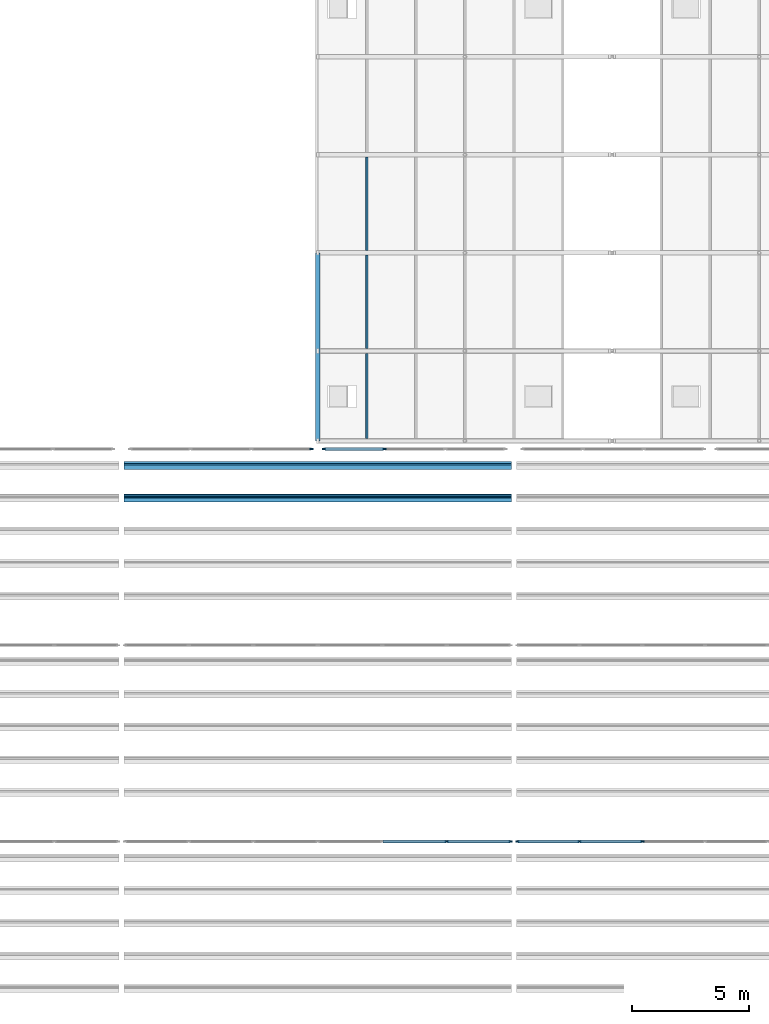
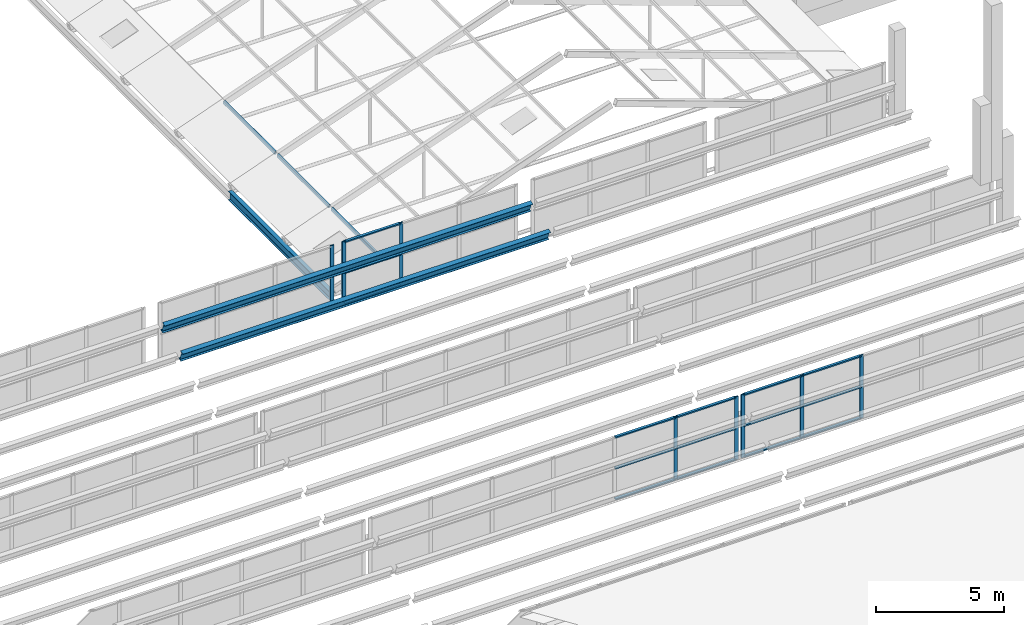
# One storey, part 24 of 116: 29 members, 4 elements without a shape of their own.
"""IFC4 building model written with IfcOpenShell, lengths in metres."""

from ifc_helpers import new_model, si_unit, direction, frame, origin, origin_2d, place, context, subcontext, project, spatial, rectangle, hollow_rectangle, i_section, extrude, material, material_profile, profile_set, type_object, element, aggregate, save


model = new_model("IFC4")

# Units and contexts
model_context = context("Model", 3, precision=1e-05, world=origin(), true_north=direction((0.0, 1.0)))
body_context = subcontext(model_context, "Body", "Model", "MODEL_VIEW")
ifc_project = project(units=[si_unit("LENGTHUNIT", "METRE"), si_unit("AREAUNIT", "SQUARE_METRE"), si_unit("VOLUMEUNIT", "CUBIC_METRE"), si_unit("PLANEANGLEUNIT", "RADIAN"), si_unit("MASSUNIT", "GRAM", prefix="KILO")], contexts=[model_context])

# Site, building, storey
site_placement = place(None, origin())
site = spatial("IfcSite", under=ifc_project, at=site_placement, CompositionType="ELEMENT")
building_placement = place(site_placement, origin())
building = spatial("IfcBuilding", under=site, at=building_placement, Name="Fescue Hill Polytechnic", CompositionType="ELEMENT")
storey_placement = place(building_placement, frame((0.0, 0.0, 13.5)))
storey = spatial("IfcBuildingStorey", under=building, at=storey_placement, Name="L03", CompositionType="ELEMENT", Elevation=13.5)

# Curtain wall, members
ifc_material_1 = material(Name="Aluminium and glass", Category="aluminium")
curtain_wall_type = type_object("IfcCurtainWallType", Name="Sawtooth north glazing curtain wall", PredefinedType="NOTDEFINED", material=ifc_material_1)
curtain_wall_1_placement = place(storey_placement, origin())
curtain_wall_1 = element("IfcCurtainWall", 1, at=curtain_wall_1_placement, inside=storey, type_object=curtain_wall_type, Name="Sawtooth 2 north glazing bay 6", PredefinedType="NOTDEFINED")
ifc_material_2 = material(Name="Aluminium", Category="aluminium")
ifc_material_profile_1 = material_profile(ifc_material_2, rectangle(XDim=0.06005859375, YDim=0.159912109375, at=origin_2d()), Name="Curtain wall mullion 60x160")
ifc_profile_set_1 = profile_set([ifc_material_profile_1], Name="Aluminium")
member_type_1 = type_object("IfcMemberType", Name="Curtain wall mullion 60x160", PredefinedType="MULLION", material=ifc_profile_set_1)
member_1_placement = place(storey_placement, frame((97.919921875, 33.60009765625, 0.0), z_axis=(0.0, 0.0, 1.0), x_axis=(0.0, 1.0, 0.0)))
member_1 = element("IfcMember", 2, at=member_1_placement, type_object=member_type_1, Name="CW13 mullion 6", PredefinedType="MULLION", context=body_context, shape_type="SweptSolid", body=[
    extrude(rectangle(XDim=0.06005859375, YDim=0.159912109375, at=origin_2d()), origin(), (0.0, 0.0, 1.0), 3.0),
])
member_2_placement = place(storey_placement, frame((100.64990234375, 33.60009765625, 0.0), z_axis=(0.0, 0.0, 1.0), x_axis=(0.0, 1.0, 0.0)))
member_2 = element("IfcMember", 3, at=member_2_placement, type_object=member_type_1, Name="CW13 mullion 7", PredefinedType="MULLION", context=body_context, shape_type="SweptSolid", body=[
    extrude(rectangle(XDim=0.06005859375, YDim=0.159912109375, at=origin_2d()), origin(), (0.0, 0.0, 1.0), 3.0),
])

curtain_wall_2_placement = place(storey_placement, origin())
curtain_wall_2 = element("IfcCurtainWall", 4, at=curtain_wall_2_placement, inside=storey, type_object=curtain_wall_type, Name="Sawtooth 2 north glazing bay 7", PredefinedType="NOTDEFINED")
member_3_placement = place(storey_placement, frame((100.949951171875, 33.60009765625, 0.0), z_axis=(0.0, 0.0, 1.0), x_axis=(0.0, 1.0, 0.0)))
member_3 = element("IfcMember", 5, at=member_3_placement, type_object=member_type_1, Name="CW14 mullion 1", PredefinedType="MULLION", context=body_context, shape_type="SweptSolid", body=[
    extrude(rectangle(XDim=0.06005859375, YDim=0.159912109375, at=origin_2d()), origin(), (0.0, 0.0, 1.0), 3.0),
])
member_4_placement = place(storey_placement, frame((103.60498046875, 33.60009765625, 0.0), z_axis=(0.0, 0.0, 1.0), x_axis=(0.0, 1.0, 0.0)))
member_4 = element("IfcMember", 6, at=member_4_placement, type_object=member_type_1, Name="CW14 mullion 2", PredefinedType="MULLION", context=body_context, shape_type="SweptSolid", body=[
    extrude(rectangle(XDim=0.06005859375, YDim=0.159912109375, at=origin_2d()), origin(), (0.0, 0.0, 1.0), 3.0),
])
member_5_placement = place(storey_placement, frame((106.2900390625, 33.60009765625, 0.0), z_axis=(0.0, 0.0, 1.0), x_axis=(0.0, 1.0, 0.0)))
member_5 = element("IfcMember", 7, at=member_5_placement, type_object=member_type_1, Name="CW14 mullion 3", PredefinedType="MULLION", context=body_context, shape_type="SweptSolid", body=[
    extrude(rectangle(XDim=0.06005859375, YDim=0.159912109375, at=origin_2d()), origin(), (0.0, 0.0, 1.0), 3.0),
])

# Curtain wall, member
curtain_wall_3_placement = place(storey_placement, origin())
curtain_wall_3 = element("IfcCurtainWall", 8, at=curtain_wall_3_placement, inside=storey, type_object=curtain_wall_type, Name="Sawtooth 4 north glazing bay 6 part 1", PredefinedType="NOTDEFINED")
member_6_placement = place(storey_placement, frame((92.1298828125, 50.39990234375, 0.0), z_axis=(0.0, 0.0, 1.0), x_axis=(0.0, 1.0, 0.0)))
member_6 = element("IfcMember", 9, at=member_6_placement, type_object=member_type_1, Name="CW32 mullion 4", PredefinedType="MULLION", context=body_context, shape_type="SweptSolid", body=[
    extrude(rectangle(XDim=0.06005859375, YDim=0.159912109375, at=origin_2d()), origin(), (0.0, 0.0, 1.0), 3.0),
])
aggregate(curtain_wall_3, [member_6])

# Curtain wall, members
curtain_wall_4_placement = place(storey_placement, origin())
curtain_wall_4 = element("IfcCurtainWall", 10, at=curtain_wall_4_placement, inside=storey, type_object=curtain_wall_type, Name="Sawtooth 4 north glazing bay 6 part 2", PredefinedType="NOTDEFINED")
member_7_placement = place(storey_placement, frame((92.669921875, 50.39990234375, 0.0), z_axis=(0.0, 0.0, 1.0), x_axis=(0.0, 1.0, 0.0)))
member_7 = element("IfcMember", 11, at=member_7_placement, type_object=member_type_1, Name="CW33 mullion 1", PredefinedType="MULLION", context=body_context, shape_type="SweptSolid", body=[
    extrude(rectangle(XDim=0.06005859375, YDim=0.159912109375, at=origin_2d()), origin(), (0.0, 0.0, 1.0), 3.0),
])
member_8_placement = place(storey_placement, frame((95.24658203125, 50.39990234375, 0.0), z_axis=(0.0, 0.0, 1.0), x_axis=(0.0, 1.0, 0.0)))
member_8 = element("IfcMember", 12, at=member_8_placement, type_object=member_type_1, Name="CW33 mullion 2", PredefinedType="MULLION", context=body_context, shape_type="SweptSolid", body=[
    extrude(rectangle(XDim=0.06005859375, YDim=0.159912109375, at=origin_2d()), origin(), (0.0, 0.0, 1.0), 3.0),
])

# Member
ifc_material_profile_2 = material_profile(ifc_material_2, rectangle(XDim=0.1201171875, YDim=0.06005859375, at=origin_2d()), Name="Curtain wall transom 60x120")
ifc_profile_set_2 = profile_set([ifc_material_profile_2], Name="Aluminium")
member_type_2 = type_object("IfcMemberType", Name="Curtain wall transom 60x120", PredefinedType="USERDEFINED", material=ifc_profile_set_2)
member_9_placement = place(storey_placement, frame((95.18994140625, 33.60009765625, 0.030029296875), z_axis=(1.0, 0.0, 0.0), x_axis=(0.0, 1.0, 0.0)))
member_9 = element("IfcMember", 13, at=member_9_placement, type_object=member_type_2, Name="CW13 transom 5.1", ObjectType="TRANSOM", PredefinedType="USERDEFINED", context=body_context, shape_type="SweptSolid", body=[
    extrude(rectangle(XDim=0.1201171875, YDim=0.06005859375, at=origin_2d()), origin(), (0.0, 0.0, 1.0), 2.699951171875),
])

member_10_placement = place(storey_placement, frame((95.18994140625, 33.60009765625, 1.5), z_axis=(1.0, 0.0, 0.0), x_axis=(0.0, 1.0, 0.0)))
member_10 = element("IfcMember", 14, at=member_10_placement, type_object=member_type_2, Name="CW13 transom 5.2", ObjectType="TRANSOM", PredefinedType="USERDEFINED", context=body_context, shape_type="SweptSolid", body=[
    extrude(rectangle(XDim=0.1201171875, YDim=0.06005859375, at=origin_2d()), origin(), (0.0, 0.0, 1.0), 2.699951171875),
])

member_11_placement = place(storey_placement, frame((95.18994140625, 33.60009765625, 2.969970703125), z_axis=(1.0, 0.0, 0.0), x_axis=(0.0, 1.0, 0.0)))
member_11 = element("IfcMember", 15, at=member_11_placement, type_object=member_type_2, Name="CW13 transom 5.3", ObjectType="TRANSOM", PredefinedType="USERDEFINED", context=body_context, shape_type="SweptSolid", body=[
    extrude(rectangle(XDim=0.1201171875, YDim=0.06005859375, at=origin_2d()), origin(), (0.0, 0.0, 1.0), 2.699951171875),
])

member_12_placement = place(storey_placement, frame((97.949951171875, 33.60009765625, 0.030029296875), z_axis=(1.0, 0.0, 0.0), x_axis=(0.0, 1.0, 0.0)))
member_12 = element("IfcMember", 16, at=member_12_placement, type_object=member_type_2, Name="CW13 transom 6.1", ObjectType="TRANSOM", PredefinedType="USERDEFINED", context=body_context, shape_type="SweptSolid", body=[
    extrude(rectangle(XDim=0.1201171875, YDim=0.06005859375, at=origin_2d()), origin(), (0.0, 0.0, 1.0), 2.670166015625),
])

member_13_placement = place(storey_placement, frame((97.949951171875, 33.60009765625, 1.5), z_axis=(1.0, 0.0, 0.0), x_axis=(0.0, 1.0, 0.0)))
member_13 = element("IfcMember", 17, at=member_13_placement, type_object=member_type_2, Name="CW13 transom 6.2", ObjectType="TRANSOM", PredefinedType="USERDEFINED", context=body_context, shape_type="SweptSolid", body=[
    extrude(rectangle(XDim=0.1201171875, YDim=0.06005859375, at=origin_2d()), origin(), (0.0, 0.0, 1.0), 2.670166015625),
])

member_14_placement = place(storey_placement, frame((97.949951171875, 33.60009765625, 2.969970703125), z_axis=(1.0, 0.0, 0.0), x_axis=(0.0, 1.0, 0.0)))
member_14 = element("IfcMember", 18, at=member_14_placement, type_object=member_type_2, Name="CW13 transom 6.3", ObjectType="TRANSOM", PredefinedType="USERDEFINED", context=body_context, shape_type="SweptSolid", body=[
    extrude(rectangle(XDim=0.1201171875, YDim=0.06005859375, at=origin_2d()), origin(), (0.0, 0.0, 1.0), 2.670166015625),
])

aggregate(curtain_wall_1, [member_1, member_2, member_9, member_10, member_11, member_12, member_13, member_14])

member_15_placement = place(storey_placement, frame((100.97998046875, 33.60009765625, 0.030029296875), z_axis=(1.0, 0.0, 0.0), x_axis=(0.0, 1.0, 0.0)))
member_15 = element("IfcMember", 19, at=member_15_placement, type_object=member_type_2, Name="CW14 transom 1.1", ObjectType="TRANSOM", PredefinedType="USERDEFINED", context=body_context, shape_type="SweptSolid", body=[
    extrude(rectangle(XDim=0.1201171875, YDim=0.06005859375, at=origin_2d()), origin(), (0.0, 0.0, 1.0), 2.594970703125),
])

member_16_placement = place(storey_placement, frame((100.97998046875, 33.60009765625, 1.5), z_axis=(1.0, 0.0, 0.0), x_axis=(0.0, 1.0, 0.0)))
member_16 = element("IfcMember", 20, at=member_16_placement, type_object=member_type_2, Name="CW14 transom 1.2", ObjectType="TRANSOM", PredefinedType="USERDEFINED", context=body_context, shape_type="SweptSolid", body=[
    extrude(rectangle(XDim=0.1201171875, YDim=0.06005859375, at=origin_2d()), origin(), (0.0, 0.0, 1.0), 2.594970703125),
])

member_17_placement = place(storey_placement, frame((100.97998046875, 33.60009765625, 2.969970703125), z_axis=(1.0, 0.0, 0.0), x_axis=(0.0, 1.0, 0.0)))
member_17 = element("IfcMember", 21, at=member_17_placement, type_object=member_type_2, Name="CW14 transom 1.3", ObjectType="TRANSOM", PredefinedType="USERDEFINED", context=body_context, shape_type="SweptSolid", body=[
    extrude(rectangle(XDim=0.1201171875, YDim=0.06005859375, at=origin_2d()), origin(), (0.0, 0.0, 1.0), 2.594970703125),
])

member_18_placement = place(storey_placement, frame((103.635009765625, 33.60009765625, 0.030029296875), z_axis=(1.0, 0.0, 0.0), x_axis=(0.0, 1.0, 0.0)))
member_18 = element("IfcMember", 22, at=member_18_placement, type_object=member_type_2, Name="CW14 transom 2.1", ObjectType="TRANSOM", PredefinedType="USERDEFINED", context=body_context, shape_type="SweptSolid", body=[
    extrude(rectangle(XDim=0.1201171875, YDim=0.06005859375, at=origin_2d()), origin(), (0.0, 0.0, 1.0), 2.625),
])

member_19_placement = place(storey_placement, frame((103.635009765625, 33.60009765625, 1.5), z_axis=(1.0, 0.0, 0.0), x_axis=(0.0, 1.0, 0.0)))
member_19 = element("IfcMember", 23, at=member_19_placement, type_object=member_type_2, Name="CW14 transom 2.2", ObjectType="TRANSOM", PredefinedType="USERDEFINED", context=body_context, shape_type="SweptSolid", body=[
    extrude(rectangle(XDim=0.1201171875, YDim=0.06005859375, at=origin_2d()), origin(), (0.0, 0.0, 1.0), 2.625),
])

member_20_placement = place(storey_placement, frame((103.635009765625, 33.60009765625, 2.969970703125), z_axis=(1.0, 0.0, 0.0), x_axis=(0.0, 1.0, 0.0)))
member_20 = element("IfcMember", 24, at=member_20_placement, type_object=member_type_2, Name="CW14 transom 2.3", ObjectType="TRANSOM", PredefinedType="USERDEFINED", context=body_context, shape_type="SweptSolid", body=[
    extrude(rectangle(XDim=0.1201171875, YDim=0.06005859375, at=origin_2d()), origin(), (0.0, 0.0, 1.0), 2.625),
])

aggregate(curtain_wall_2, [member_3, member_4, member_5, member_15, member_16, member_17, member_18, member_19, member_20])

member_21_placement = place(storey_placement, frame((92.699951171875, 50.39990234375, 0.030029296875), z_axis=(1.0, 0.0, 0.0), x_axis=(0.0, 1.0, 0.0)))
member_21 = element("IfcMember", 25, at=member_21_placement, type_object=member_type_2, Name="CW33 transom 1.1", ObjectType="TRANSOM", PredefinedType="USERDEFINED", context=body_context, shape_type="SweptSolid", body=[
    extrude(rectangle(XDim=0.1201171875, YDim=0.06005859375, at=origin_2d()), origin(), (0.0, 0.0, 1.0), 2.5166015625),
])

member_22_placement = place(storey_placement, frame((92.699951171875, 50.39990234375, 1.5), z_axis=(1.0, 0.0, 0.0), x_axis=(0.0, 1.0, 0.0)))
member_22 = element("IfcMember", 26, at=member_22_placement, type_object=member_type_2, Name="CW33 transom 1.2", ObjectType="TRANSOM", PredefinedType="USERDEFINED", context=body_context, shape_type="SweptSolid", body=[
    extrude(rectangle(XDim=0.1201171875, YDim=0.06005859375, at=origin_2d()), origin(), (0.0, 0.0, 1.0), 2.5166015625),
])

member_23_placement = place(storey_placement, frame((92.699951171875, 50.39990234375, 2.969970703125), z_axis=(1.0, 0.0, 0.0), x_axis=(0.0, 1.0, 0.0)))
member_23 = element("IfcMember", 27, at=member_23_placement, type_object=member_type_2, Name="CW33 transom 1.3", ObjectType="TRANSOM", PredefinedType="USERDEFINED", context=body_context, shape_type="SweptSolid", body=[
    extrude(rectangle(XDim=0.1201171875, YDim=0.06005859375, at=origin_2d()), origin(), (0.0, 0.0, 1.0), 2.5166015625),
])

aggregate(curtain_wall_4, [member_7, member_8, member_21, member_22, member_23])

# Members
ifc_material_3 = material(Name="Steel 350W (350 MPa)", Category="steel")
ifc_material_profile_3 = material_profile(ifc_material_3, i_section(OverallWidth=0.18994140625, OverallDepth=0.45703125, WebThickness=0.009033203125, FlangeThickness=0.014404296875, FilletRadius=0.0166015625, at=origin_2d()), Name="W460x74")
ifc_profile_set_3 = profile_set([ifc_material_profile_3], Name="Steel 350W (350 MPa)")
member_type_3 = type_object("IfcMemberType", Name="Tooth purlin W460x74", PredefinedType="PURLIN", material=ifc_profile_set_3)
member_24_placement = place(storey_placement, frame((84.1044921875, 48.300048828125, 1.794921875), z_axis=(1.0, 0.0, 0.0), x_axis=(0.0, 0.941741911595, 0.336336396997)))
element("IfcMember", 28, at=member_24_placement, inside=storey, type_object=member_type_3, Name="Tooth 4 purlin 5 bay 6", PredefinedType="PURLIN", context=body_context, shape_type="SweptSolid", body=[
    extrude(i_section(OverallWidth=0.18994140625, OverallDepth=0.45703125, WebThickness=0.009033203125, FlangeThickness=0.014404296875, FilletRadius=0.0166015625, at=origin_2d()), origin(), (0.0, 0.0, 1.0), 16.591064453125),
])
ifc_material_profile_4 = material_profile(ifc_material_3, i_section(OverallWidth=0.193115234375, OverallDepth=0.466064453125, WebThickness=0.011474609375, FlangeThickness=0.01904296875, FilletRadius=0.01708984375, at=origin_2d()), Name="W460x97")
ifc_profile_set_4 = profile_set([ifc_material_profile_4], Name="Steel 350W (350 MPa)")
member_type_4 = type_object("IfcMemberType", Name="Tooth ridge purlin W460x97", PredefinedType="PURLIN", material=ifc_profile_set_4)
member_25_placement = place(storey_placement, frame((84.1044921875, 49.699951171875, 2.290283203125), z_axis=(1.0, 0.0, 0.0), x_axis=(0.0, 0.941741911595, 0.336336396997)))
element("IfcMember", 29, at=member_25_placement, inside=storey, type_object=member_type_4, Name="Tooth 4 ridge purlin bay 6", PredefinedType="PURLIN", context=body_context, shape_type="SweptSolid", body=[
    extrude(i_section(OverallWidth=0.193115234375, OverallDepth=0.466064453125, WebThickness=0.011474609375, FlangeThickness=0.01904296875, FilletRadius=0.01708984375, at=origin_2d()), origin(), (0.0, 0.0, 1.0), 16.591064453125),
])
ifc_material_profile_5 = material_profile(ifc_material_3, i_section(OverallWidth=0.180908203125, OverallDepth=0.4169921875, WebThickness=0.010986328125, FlangeThickness=0.018310546875, FilletRadius=0.016845703125, at=origin_2d()), Name="W410x85")
ifc_profile_set_5 = profile_set([ifc_material_profile_5], Name="Steel 350W (350 MPa)")
member_type_5 = type_object("IfcMemberType", Name="Winter garden eaves edge member W410x85", PredefinedType="PURLIN", material=ifc_profile_set_5)
member_26_placement = place(storey_placement, frame((92.39990234375, 50.75, 0.20849609375), z_axis=(0.0, 1.0, 0.0), x_axis=(-1.0, 0.0, 0.0)))
element("IfcMember", 30, at=member_26_placement, inside=storey, type_object=member_type_5, Name="Winter garden eaves edge member west", PredefinedType="PURLIN", context=body_context, shape_type="SweptSolid", body=[
    extrude(i_section(OverallWidth=0.180908203125, OverallDepth=0.4169921875, WebThickness=0.010986328125, FlangeThickness=0.018310546875, FilletRadius=0.016845703125, at=origin_2d()), origin(), (0.0, 0.0, 1.0), 8.050048828125),
])
ifc_material_profile_6 = material_profile(ifc_material_3, hollow_rectangle(XDim=0.1015625, YDim=0.15234375, WallThickness=0.00634765625, InnerFilletRadius=0.00634765625, OuterFilletRadius=0.0126953125, at=origin_2d()), Name="Winter garden glazing purlin HSS 152x102x6.4")
ifc_profile_set_6 = profile_set([ifc_material_profile_6], Name="Steel 350W (350 MPa)")
member_type_6 = type_object("IfcMemberType", Name="Winter garden glazing purlin HSS 152x102x6.4", PredefinedType="PURLIN", material=ifc_profile_set_6)
member_27_placement = place(storey_placement, frame((94.5, 50.8515625, 1.41455078125), z_axis=(0.0, 1.0, 0.0), x_axis=(-1.0, 0.0, 0.0)))
element("IfcMember", 31, at=member_27_placement, inside=storey, type_object=member_type_6, Name="Winter garden glazing purlin W1 bay 1", PredefinedType="PURLIN", context=body_context, shape_type="SweptSolid", body=[
    extrude(hollow_rectangle(XDim=0.1015625, YDim=0.15234375, WallThickness=0.00634765625, InnerFilletRadius=0.00634765625, OuterFilletRadius=0.0126953125, at=origin_2d()), origin(), (0.0, 0.0, 1.0), 3.646728515625),
])
for number, where, z_axis, x_axis, name in (
    (32, (94.5, 54.70166015625, 1.41455078125), (0.0, 1.0, 0.0), (-1.0, 0.0, 0.0), "Winter garden glazing purlin W1 bay 2"),
    (33, (94.5, 58.901611328125, 1.41455078125), (0.0, 1.0, 0.0), (-1.0, 0.0, 0.0), "Winter garden glazing purlin W1 bay 3"),
):
    element("IfcMember", number, at=place(storey_placement, frame(where, z_axis=z_axis, x_axis=x_axis)), inside=storey, type_object=member_type_6, Name=name, PredefinedType="PURLIN", context=body_context, shape_type="SweptSolid", body=[
        extrude(hollow_rectangle(XDim=0.1015625, YDim=0.15234375, WallThickness=0.00634765625, InnerFilletRadius=0.00634765625, OuterFilletRadius=0.0126953125, at=origin_2d()), origin(), (0.0, 0.0, 1.0), 3.996826171875),
    ])

save(model, "model.ifc")
